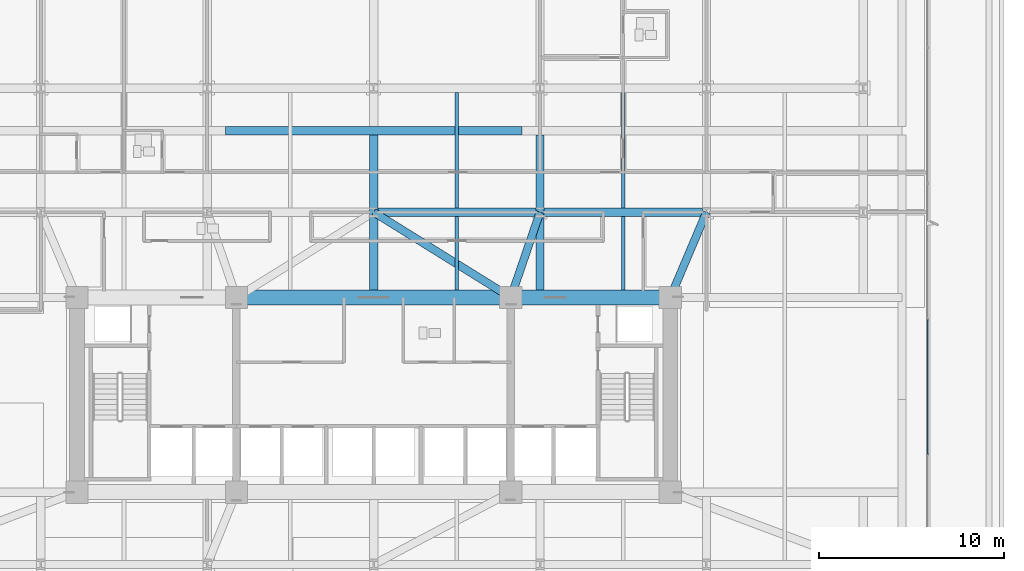
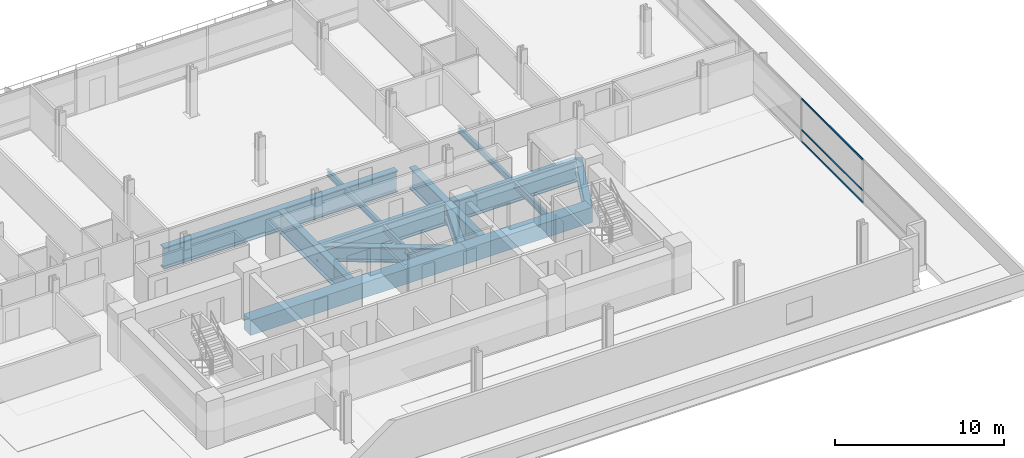
# One storey, part 9 of 25: 14 beams, 3 members, 1 element without a shape of its own.
"""IFC4 building model written with IfcOpenShell, lengths in metres."""

import ifcopenshell
import ifcopenshell.guid

model = None  # the IFC model being written
_history = None  # IfcOwnerHistory: only IFC2X3 demands one
_inside = {}  # id of a spatial element -> (the spatial element, [elements in it])
_under = {}  # id of a project, library or spatial element -> (it, [spatial elements below it])
_declared = {}  # id of a project -> (the project, [libraries it declares])
_typed = {}  # id of a type object -> (the type object, [elements of that type])
_made_of = {}  # id of a material, layer set ... -> (it, [elements and type objects made of it])


def new_model(schema):
    """Start an empty IFC model of exactly this schema.

    Asked for "IFC4X3", IfcOpenShell would pick the latest addendum, in which some entities
    have other attributes; the version numbers below select the first issue.
    IFC2X3 requires an IfcOwnerHistory on every rooted entity: one is made here for all.
    """
    global model, _history
    if schema == "IFC4X3":
        model = ifcopenshell.file(schema_version=(4, 3, 0, 0))
    else:
        model = ifcopenshell.file(schema=schema)
    _inside.clear()
    _under.clear()
    _declared.clear()
    _typed.clear()
    _made_of.clear()
    _history = None
    if model.schema == "IFC2X3":
        org = make("IfcOrganization", Name="unknown")
        user = make(
            "IfcPersonAndOrganization",
            ThePerson=make("IfcPerson", FamilyName="unknown"),
            TheOrganization=org,
        )
        app = make(
            "IfcApplication",
            ApplicationDeveloper=org,
            Version="unknown",
            ApplicationFullName="unknown",
            ApplicationIdentifier="unknown",
        )
        _history = make(
            "IfcOwnerHistory",
            OwningUser=user,
            OwningApplication=app,
            ChangeAction="ADDED",
            CreationDate=0,
        )
    return model


def make(cls, **values):
    """One entity of the class cls with the attributes given. An attribute that is None is left unset."""
    return model.create_entity(
        cls, **{name: value for name, value in values.items() if value is not None}
    )


def rooted(cls, **values):
    """An entity with a GlobalId (a new one), such as an element, a storey or a relation."""
    return make(cls, GlobalId=ifcopenshell.guid.new(), OwnerHistory=_history, **values)


def si_unit(unit_type, name, prefix=None):
    """IfcSIUnit, for example si_unit("LENGTHUNIT", "METRE", prefix="MILLI")."""
    return make("IfcSIUnit", UnitType=unit_type, Prefix=prefix, Name=name)


def assignment(units):
    """IfcUnitAssignment: the units of a project."""
    return None if units is None else make("IfcUnitAssignment", Units=units)


def point(xyz):
    """IfcCartesianPoint."""
    return None if xyz is None else make("IfcCartesianPoint", Coordinates=xyz)


def direction(xyz):
    """IfcDirection."""
    return None if xyz is None else make("IfcDirection", DirectionRatios=xyz)


def frame(location, z_axis=None, x_axis=None):
    """IfcAxis2Placement3D, a coordinate frame: its origin and axes. An axis left out is left unset."""
    return make(
        "IfcAxis2Placement3D",
        Location=point(location),
        Axis=direction(z_axis),
        RefDirection=direction(x_axis),
    )


def frame_2d(location, x_axis=None):
    """IfcAxis2Placement2D, a coordinate frame in the plane: its origin and x axis."""
    return make(
        "IfcAxis2Placement2D", Location=point(location), RefDirection=direction(x_axis)
    )


def origin():
    """The frame at (0, 0, 0) with its axes left unset."""
    return frame((0.0, 0.0, 0.0))


def origin_2d():
    """The frame at (0, 0) in the plane with its x axis left unset."""
    return frame_2d((0.0, 0.0))


def place(relative_to, where):
    """IfcLocalPlacement: puts the frame where relative to a parent placement (None: the world)."""
    return make(
        "IfcLocalPlacement", PlacementRelTo=relative_to, RelativePlacement=where
    )


def context(
    kind, dimensions, precision=None, world=None, true_north=None, identifier=None
):
    """IfcGeometricRepresentationContext, for example the 3D "Model" context."""
    return make(
        "IfcGeometricRepresentationContext",
        ContextIdentifier=identifier,
        ContextType=kind,
        CoordinateSpaceDimension=dimensions,
        Precision=precision,
        WorldCoordinateSystem=world,
        TrueNorth=true_north,
    )


def subcontext(parent, identifier, kind, view, scale=None):
    """IfcGeometricRepresentationSubContext, for example "Body" below "Model"."""
    return make(
        "IfcGeometricRepresentationSubContext",
        ContextIdentifier=identifier,
        ContextType=kind,
        ParentContext=parent,
        TargetScale=scale,
        TargetView=view,
    )


def project(units=None, contexts=None):
    """IfcProject with its units and contexts."""
    return rooted(
        "IfcProject",
        Name="project",
        RepresentationContexts=contexts,
        UnitsInContext=assignment(units),
    )


def spatial(cls, under=None, at=None, **own):
    """A site, building, storey or space (cls), placed at a placement, below another one or the project."""
    s = rooted(cls, ObjectPlacement=at, **own)
    if under is not None:
        _under.setdefault(under.id(), (under, []))[1].append(s)
    return s


def profile(cls, at=None, kind="AREA", **sizes):
    """A parametric profile (cls). Its sizes go by their IFC names, for example OverallWidth=200.0."""
    return make(cls, ProfileType=kind, Position=at, **sizes)


def rectangle(**sizes):
    """IfcRectangleProfileDef."""
    return profile("IfcRectangleProfileDef", **sizes)


def i_section(**sizes):
    """IfcIShapeProfileDef."""
    return profile("IfcIShapeProfileDef", **sizes)


def extrude(swept, where, along, depth):
    """IfcExtrudedAreaSolid: the profile swept, set in the frame where, extruded along a direction by depth."""
    return make(
        "IfcExtrudedAreaSolid",
        SweptArea=swept,
        Position=where,
        ExtrudedDirection=direction(along),
        Depth=depth,
    )


def shape(context_of_items, identifier, shape_type, items):
    """IfcShapeRepresentation: the items that make up one representation, for example the "Body"."""
    return make(
        "IfcShapeRepresentation",
        ContextOfItems=context_of_items,
        RepresentationIdentifier=identifier,
        RepresentationType=shape_type,
        Items=items,
    )


def material(Name=None, Category=None):
    """IfcMaterial."""
    return make("IfcMaterial", Name=Name, Category=Category)


def material_profile(
    of_material, cross_section, Name=None, Category=None, Priority=None
):
    """IfcMaterialProfile: a cross section and its material."""
    return make(
        "IfcMaterialProfile",
        Name=Name,
        Material=of_material,
        Profile=cross_section,
        Priority=Priority,
        Category=Category,
    )


def profile_set(profiles, Name=None, composite=None):
    """IfcMaterialProfileSet."""
    return make(
        "IfcMaterialProfileSet",
        Name=Name,
        MaterialProfiles=profiles,
        CompositeProfile=composite,
    )


def made_of(thing, what):
    """Note that an element or type object is made of a material, layer set ...; save() writes the relation."""
    if what is not None:
        _made_of.setdefault(what.id(), (what, []))[1].append(thing)
    return thing


def type_object(cls, material=None, **own):
    """A type object (cls), such as IfcWallType, which elements share."""
    return made_of(rooted(cls, **own), material)


def element(
    cls,
    number,
    at=None,
    inside=None,
    cuts=None,
    type_object=None,
    material=None,
    context=None,
    identifier="Body",
    shape_type=None,
    held_by="IfcProductDefinitionShape",
    body=None,
    shapes=None,
    **own,
):
    """One element of the class cls, such as IfcWall. Its Tag is "e" and its number.

    at: its placement. inside: the storey or other place that contains it. cuts: it is an
    opening in that element (IfcRelVoidsElement). A single representation is given by context,
    identifier, shape_type and body (its items); several are given by shapes. held_by: the class
    of the entity that holds the representations. save() writes the other relations.
    """
    e = rooted(cls, Tag="e%d" % number, ObjectPlacement=at, **own)
    if body is not None:
        shapes = [shape(context, identifier, shape_type, body)]
    if shapes is not None:
        e.Representation = make(held_by, Representations=shapes)
    if inside is not None:
        _inside.setdefault(inside.id(), (inside, []))[1].append(e)
    if cuts is not None:
        rooted(
            "IfcRelVoidsElement", RelatingBuildingElement=cuts, RelatedOpeningElement=e
        )
    if type_object is not None:
        _typed.setdefault(type_object.id(), (type_object, []))[1].append(e)
    return made_of(e, material)


def aggregate(whole, parts):
    """IfcRelAggregates: a whole, such as a stair, and the parts it consists of."""
    return rooted("IfcRelAggregates", RelatingObject=whole, RelatedObjects=parts)


def save(model, path):
    """Write the relations noted so far, then the file.

    IfcRelAggregates (storeys below a building ...), IfcRelContainedInSpatialStructure (elements
    in a storey), IfcRelDefinesByType, IfcRelAssociatesMaterial and IfcRelDeclares: one each for
    every whole, place, type object, material and project.
    """
    for whole, parts in _under.values():
        aggregate(whole, parts)
    for where, things in _inside.values():
        rooted(
            "IfcRelContainedInSpatialStructure",
            RelatedElements=things,
            RelatingStructure=where,
        )
    for kind, things in _typed.values():
        rooted("IfcRelDefinesByType", RelatedObjects=things, RelatingType=kind)
    for what, things in _made_of.values():
        rooted("IfcRelAssociatesMaterial", RelatedObjects=things, RelatingMaterial=what)
    for by, libraries in _declared.values():
        rooted("IfcRelDeclares", RelatingContext=by, RelatedDefinitions=libraries)
    model.write(path)


model = new_model("IFC4")

# Units and contexts
model_context = context("Model", 3, precision=1e-05, world=origin(), true_north=direction((0.0, 1.0)))
body_context = subcontext(model_context, "Body", "Model", "MODEL_VIEW")
ifc_project = project(units=[si_unit("LENGTHUNIT", "METRE"), si_unit("AREAUNIT", "SQUARE_METRE"), si_unit("VOLUMEUNIT", "CUBIC_METRE"), si_unit("PLANEANGLEUNIT", "RADIAN"), si_unit("MASSUNIT", "GRAM", prefix="KILO")], contexts=[model_context])

# Site, building, storey
site_placement = place(None, origin())
site = spatial("IfcSite", under=ifc_project, at=site_placement, CompositionType="ELEMENT")
building_placement = place(site_placement, origin())
building = spatial("IfcBuilding", under=site, at=building_placement, Name="Solmavex Isthmus Hotel", CompositionType="ELEMENT")
storey_placement = place(building_placement, frame((0.0, 0.0, 26.39990234375)))
storey = spatial("IfcBuildingStorey", under=building, at=storey_placement, Name="L06", CompositionType="ELEMENT", Elevation=26.39990234375)

# Beams
ifc_material_1 = material(Name="Steel ASTM A992 Grade 50", Category="steel")
ifc_material_profile_1 = material_profile(ifc_material_1, i_section(OverallWidth=0.1904296875, OverallDepth=0.456787109375, WebThickness=0.009033203125, FlangeThickness=0.014404296875, FilletRadius=0.0126953125, at=origin_2d()), Name="W18X50")
ifc_profile_set_1 = profile_set([ifc_material_profile_1], Name="Steel ASTM A992 Grade 50")
beam_type_1 = type_object("IfcBeamType", Name="BM-BJ-W18X50", PredefinedType="JOIST", material=ifc_profile_set_1)
beam_1_placement = place(storey_placement, frame((4.488037109375, -2.10009765625, -0.678466796875), z_axis=(0.0, 1.0, 0.0), x_axis=(-1.0, 0.0, 0.0)))
element("IfcBeam", 1, at=beam_1_placement, inside=storey, type_object=beam_type_1, Name="Secondary Floor Joist L06-J10", PredefinedType="JOIST", context=body_context, shape_type="SweptSolid", body=[
    extrude(i_section(OverallWidth=0.1904296875, OverallDepth=0.456787109375, WebThickness=0.009033203125, FlangeThickness=0.014404296875, FilletRadius=0.0126953125, at=origin_2d()), origin(), (0.0, 0.0, 1.0), 3.97509765625),
])
beam_2_placement = place(storey_placement, frame((4.488037109375, 2.324951171875, -0.678466796875), z_axis=(0.0, 1.0, 0.0), x_axis=(-1.0, 0.0, 0.0)))
element("IfcBeam", 2, at=beam_2_placement, inside=storey, type_object=beam_type_1, Name="Secondary Floor Joist L06-J11", PredefinedType="JOIST", context=body_context, shape_type="SweptSolid", body=[
    extrude(i_section(OverallWidth=0.1904296875, OverallDepth=0.456787109375, WebThickness=0.009033203125, FlangeThickness=0.014404296875, FilletRadius=0.0126953125, at=origin_2d()), origin(), (0.0, 0.0, 1.0), 6.238037109375),
])
beam_3_placement = place(storey_placement, frame((13.464111328125, -2.10009765625, -0.678466796875), z_axis=(0.0, 1.0, 0.0), x_axis=(-1.0, 0.0, 0.0)))
element("IfcBeam", 3, at=beam_3_placement, inside=storey, type_object=beam_type_1, Name="Secondary Floor Joist L06-J13", PredefinedType="JOIST", context=body_context, shape_type="SweptSolid", body=[
    extrude(i_section(OverallWidth=0.1904296875, OverallDepth=0.456787109375, WebThickness=0.009033203125, FlangeThickness=0.014404296875, FilletRadius=0.0126953125, at=origin_2d()), origin(), (0.0, 0.0, 1.0), 3.97509765625),
])
beam_4_placement = place(storey_placement, frame((13.464111328125, 2.324951171875, -0.678466796875), z_axis=(0.0, 1.0, 0.0), x_axis=(-1.0, 0.0, 0.0)))
element("IfcBeam", 4, at=beam_4_placement, inside=storey, type_object=beam_type_1, Name="Secondary Floor Joist L06-J14", PredefinedType="JOIST", context=body_context, shape_type="SweptSolid", body=[
    extrude(i_section(OverallWidth=0.1904296875, OverallDepth=0.456787109375, WebThickness=0.009033203125, FlangeThickness=0.014404296875, FilletRadius=0.0126953125, at=origin_2d()), origin(), (0.0, 0.0, 1.0), 6.238037109375),
])
ifc_material_2 = material(Name="Concrete C70/85", Category="concrete")
ifc_material_profile_2 = material_profile(ifc_material_2, rectangle(XDim=0.800048828125, YDim=1.10009765625, at=origin_2d()), Name="RC800X1100")
ifc_profile_set_2 = profile_set([ifc_material_profile_2], Name="Concrete C70/85")
beam_type_2 = type_object("IfcBeamType", Name="BM-CB-800X1100", PredefinedType="BEAM", material=ifc_profile_set_2)
beam_5_placement = place(storey_placement, frame((-7.39990234375, -2.5, -0.889892578125), z_axis=(1.0, 0.0, 0.0), x_axis=(0.0, 1.0, 0.0)))
element("IfcBeam", 5, at=beam_5_placement, inside=storey, type_object=beam_type_2, Name="Core Coupling Beam L06-CB5", PredefinedType="BEAM", context=body_context, shape_type="SweptSolid", body=[
    extrude(rectangle(XDim=0.800048828125, YDim=1.10009765625, at=origin_2d()), origin(), (0.0, 0.0, 1.0), 14.7998046875),
])
beam_6_placement = place(storey_placement, frame((7.39990234375, -2.5, -0.889892578125), z_axis=(1.0, 0.0, 0.0), x_axis=(0.0, 1.0, 0.0)))
element("IfcBeam", 6, at=beam_6_placement, inside=storey, type_object=beam_type_2, Name="Core Coupling Beam L06-CB6", PredefinedType="BEAM", context=body_context, shape_type="SweptSolid", body=[
    extrude(rectangle(XDim=0.800048828125, YDim=1.10009765625, at=origin_2d()), origin(), (0.0, 0.0, 1.0), 8.60009765625),
])
ifc_material_3 = material(Name="Steel ASTM A572 Grade 50", Category="steel")
ifc_material_profile_3 = material_profile(ifc_material_3, i_section(OverallWidth=0.449951171875, OverallDepth=1.550048828125, WebThickness=0.031982421875, FlangeThickness=0.06494140625, FilletRadius=0.030517578125, at=origin_2d()), Name="I1550X450")
ifc_profile_set_3 = profile_set([ifc_material_profile_3], Name="Steel ASTM A572 Grade 50")
beam_type_3 = type_object("IfcBeamType", Name="BM-TB-G1550", PredefinedType="BEAM", material=ifc_profile_set_3)
beam_7_placement = place(storey_placement, frame((-8.0, 6.5, -1.224853515625), z_axis=(1.0, 0.0, 0.0), x_axis=(0.0, 1.0, 0.0)))
element("IfcBeam", 7, at=beam_7_placement, inside=storey, type_object=beam_type_3, Name="Podium-to-Tower Mega Transfer Girder L06-MG08", PredefinedType="BEAM", context=body_context, shape_type="SweptSolid", body=[
    extrude(i_section(OverallWidth=0.449951171875, OverallDepth=1.550048828125, WebThickness=0.031982421875, FlangeThickness=0.06494140625, FilletRadius=0.030517578125, at=origin_2d()), origin(), (0.0, 0.0, 1.0), 16.0),
])
for number, where, z_axis, x_axis, name in (
    (8, (0.0, -2.10009765625, -1.224853515625), (0.0, 1.0, 0.0), (-1.0, 0.0, 0.0), "Tower Column Root Transfer Girder L06-MNS4B"),
    (9, (8.97607421875, -2.10009765625, -1.224853515625), (0.0, 1.0, 0.0), (-1.0, 0.0, 0.0), "Tower Column Root Transfer Girder L06-MNS5B"),
):
    element("IfcBeam", number, at=place(storey_placement, frame(where, z_axis=z_axis, x_axis=x_axis)), inside=storey, type_object=beam_type_3, Name=name, PredefinedType="BEAM", context=body_context, shape_type="SweptSolid", body=[
        extrude(i_section(OverallWidth=0.449951171875, OverallDepth=1.550048828125, WebThickness=0.031982421875, FlangeThickness=0.06494140625, FilletRadius=0.030517578125, at=origin_2d()), origin(), (0.0, 0.0, 1.0), 8.375),
    ])
beam_8_placement = place(storey_placement, frame((0.22509765625, 2.10009765625, -1.224853515625), z_axis=(1.0, 0.0, 0.0), x_axis=(0.0, 1.0, 0.0)))
element("IfcBeam", 10, at=beam_8_placement, inside=storey, type_object=beam_type_3, Name="Outrigger Collector Girder L06-UG10", PredefinedType="BEAM", context=body_context, shape_type="SweptSolid", body=[
    extrude(i_section(OverallWidth=0.449951171875, OverallDepth=1.550048828125, WebThickness=0.031982421875, FlangeThickness=0.06494140625, FilletRadius=0.030517578125, at=origin_2d()), origin(), (0.0, 0.0, 1.0), 8.52587890625),
])
beam_9_placement = place(storey_placement, frame((9.200927734375, 2.10009765625, -1.224853515625), z_axis=(1.0, 0.0, 0.0), x_axis=(0.0, 1.0, 0.0)))
element("IfcBeam", 11, at=beam_9_placement, inside=storey, type_object=beam_type_3, Name="Outrigger Collector Girder L06-UG11", PredefinedType="BEAM", context=body_context, shape_type="SweptSolid", body=[
    extrude(i_section(OverallWidth=0.449951171875, OverallDepth=1.550048828125, WebThickness=0.031982421875, FlangeThickness=0.06494140625, FilletRadius=0.030517578125, at=origin_2d()), origin(), (0.0, 0.0, 1.0), 8.526123046875),
])
ifc_material_4 = material(Name="Steel ASTM A913 Grade 65", Category="steel")
ifc_material_profile_4 = material_profile(ifc_material_4, i_section(OverallWidth=0.42431640625, OverallDepth=1.09228515625, WebThickness=0.04541015625, FlangeThickness=0.08203125, FilletRadius=0.030517578125, at=origin_2d()), Name="W40X593")
ifc_profile_set_4 = profile_set([ifc_material_profile_4], Name="Steel ASTM A913 Grade 65")
beam_type_4 = type_object("IfcBeamType", Name="BM-TB-W40X397", PredefinedType="BEAM", material=ifc_profile_set_4)
beam_10_placement = place(storey_placement, frame((7.39990234375, -2.5, -0.99609375), z_axis=(-0.849277176149, 0.527947230386, 0.0), x_axis=(-0.527947230386, -0.849277176149, 0.0)))
element("IfcBeam", 12, at=beam_10_placement, inside=storey, type_object=beam_type_4, Name="Core Outrigger Strut L05-OTCE", PredefinedType="BEAM", context=body_context, shape_type="SweptSolid", body=[
    extrude(i_section(OverallWidth=0.42431640625, OverallDepth=1.09228515625, WebThickness=0.04541015625, FlangeThickness=0.08203125, FilletRadius=0.030517578125, at=origin_2d()), origin(), (0.0, 0.0, 1.0), 8.713134765625),
])
beam_11_placement = place(storey_placement, frame((16.0, -2.5, -0.99609375), z_axis=(0.390608816206, 0.920556762346, 0.0), x_axis=(-0.920556762346, 0.390608816206, 0.0)))
element("IfcBeam", 13, at=beam_11_placement, inside=storey, type_object=beam_type_4, Name="Core Outrigger Strut L05-OTNE", PredefinedType="BEAM", context=body_context, shape_type="SweptSolid", body=[
    extrude(i_section(OverallWidth=0.42431640625, OverallDepth=1.09228515625, WebThickness=0.04541015625, FlangeThickness=0.08203125, FilletRadius=0.030517578125, at=origin_2d()), origin(), (0.0, 0.0, 1.0), 4.9970703125),
])
ifc_material_profile_5 = material_profile(ifc_material_4, i_section(OverallWidth=0.42431640625, OverallDepth=1.09228515625, WebThickness=0.04541015625, FlangeThickness=0.08203125, FilletRadius=0.030517578125, at=origin_2d()), Name="W40X593")
ifc_profile_set_5 = profile_set([ifc_material_profile_5], Name="Steel ASTM A913 Grade 65")
beam_type_5 = type_object("IfcBeamType", Name="BM-TG-W40X593", PredefinedType="BEAM", material=ifc_profile_set_5)
beam_12_placement = place(storey_placement, frame((7.39990234375, -2.5, -0.99609375), z_axis=(0.32413947833, 0.946009301533, 0.0), x_axis=(-0.946009301533, 0.32413947833, 0.0)))
element("IfcBeam", 14, at=beam_12_placement, inside=storey, type_object=beam_type_5, Name="Core Outrigger Strut L05-OTE", PredefinedType="BEAM", context=body_context, shape_type="SweptSolid", body=[
    extrude(i_section(OverallWidth=0.42431640625, OverallDepth=1.09228515625, WebThickness=0.04541015625, FlangeThickness=0.08203125, FilletRadius=0.030517578125, at=origin_2d()), origin(), (0.0, 0.0, 1.0), 4.862548828125),
])

# Curtain wall, members
ifc_material_5 = material(Name="Aluminium alloy 6063-T6", Category="aluminium")
curtain_wall_type = type_object("IfcCurtainWallType", Name="CW-SYS-06", PredefinedType="NOTDEFINED", material=ifc_material_5)
curtain_wall_placement = place(storey_placement, origin())
curtain_wall = element("IfcCurtainWall", 15, at=curtain_wall_placement, inside=storey, type_object=curtain_wall_type, Name="Stick Curtain Wall CWL-L06-E1", PredefinedType="NOTDEFINED")
ifc_material_profile_6 = material_profile(ifc_material_5, rectangle(XDim=0.06005859375, YDim=0.114990234375, at=origin_2d()), Name="CWT-60X115")
ifc_profile_set_6 = profile_set([ifc_material_profile_6], Name="Aluminium alloy 6063-T6")
member_type = type_object("IfcMemberType", Name="CW-SYS-06-TRN", PredefinedType="USERDEFINED", material=ifc_profile_set_6)
member_1_placement = place(storey_placement, frame((29.8798828125, -10.949951171875, 0.0576171875), z_axis=(0.0, 1.0, 0.0), x_axis=(-1.0, 0.0, 0.0)))
member_1 = element("IfcMember", 16, at=member_1_placement, type_object=member_type, Name="CW-06 transom 2.1", ObjectType="TRANSOM", PredefinedType="USERDEFINED", context=body_context, shape_type="SweptSolid", body=[
    extrude(rectangle(XDim=0.06005859375, YDim=0.114990234375, at=origin_2d()), origin(), (0.0, 0.0, 1.0), 7.260009765625),
])
member_2_placement = place(storey_placement, frame((29.8798828125, -10.949951171875, 0.900146484375), z_axis=(0.0, 1.0, 0.0), x_axis=(-1.0, 0.0, 0.0)))
member_2 = element("IfcMember", 17, at=member_2_placement, type_object=member_type, Name="CW-06 transom 2.2", ObjectType="TRANSOM", PredefinedType="USERDEFINED", context=body_context, shape_type="SweptSolid", body=[
    extrude(rectangle(XDim=0.06005859375, YDim=0.114990234375, at=origin_2d()), origin(), (0.0, 0.0, 1.0), 7.260009765625),
])
member_3_placement = place(storey_placement, frame((29.8798828125, -10.949951171875, 3.132568359375), z_axis=(0.0, 1.0, 0.0), x_axis=(-1.0, 0.0, 0.0)))
member_3 = element("IfcMember", 18, at=member_3_placement, type_object=member_type, Name="CW-06 transom 2.3", ObjectType="TRANSOM", PredefinedType="USERDEFINED", context=body_context, shape_type="SweptSolid", body=[
    extrude(rectangle(XDim=0.06005859375, YDim=0.114990234375, at=origin_2d()), origin(), (0.0, 0.0, 1.0), 7.260009765625),
])
aggregate(curtain_wall, [member_1, member_2, member_3])

save(model, "model.ifc")
